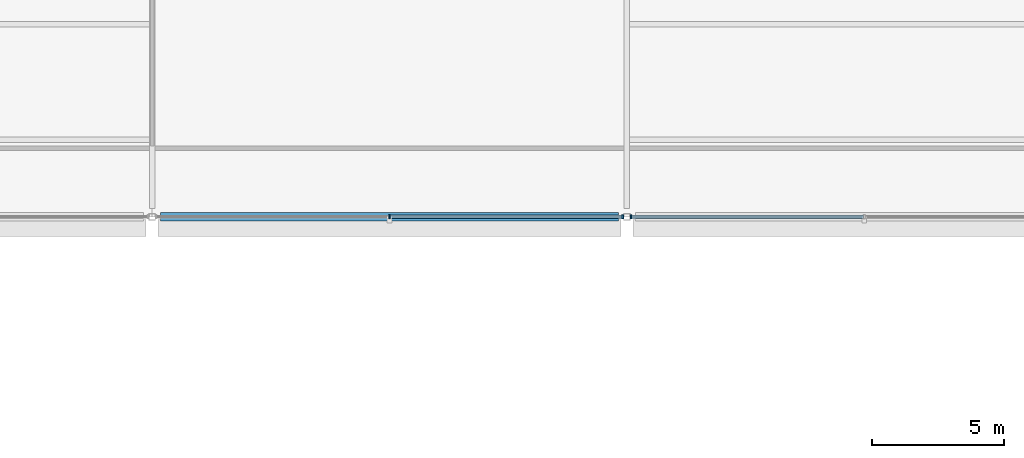
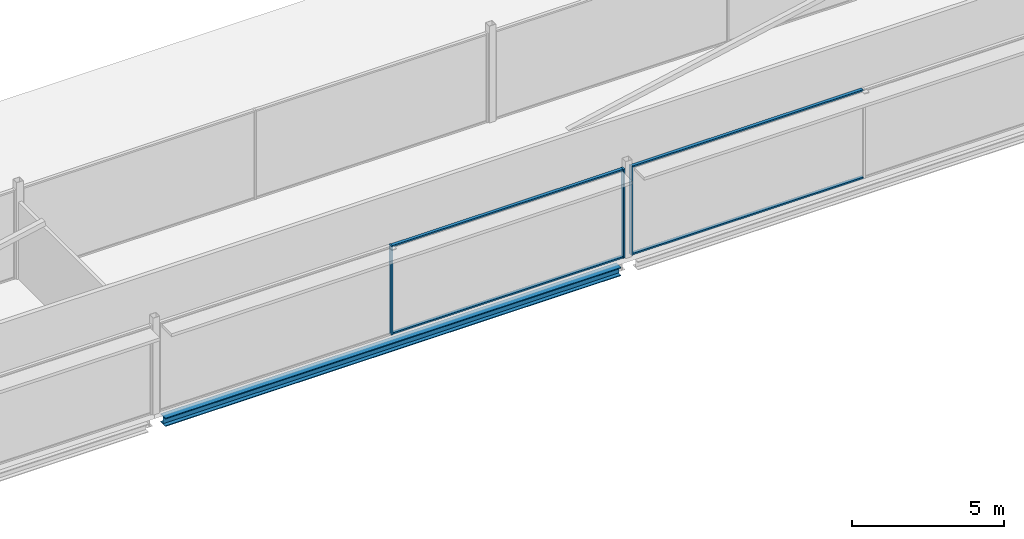
# One storey, part 25 of 105: 7 members, 1 beam, 2 elements without a shape of their own.
"""IFC4 building model written with IfcOpenShell, lengths in metres."""

from ifc_helpers import new_model, si_unit, direction, frame, origin, origin_2d, place, context, subcontext, project, spatial, rectangle, i_section, extrude, material, layer, layer_set, material_profile, profile_set, type_object, element, aggregate, save


model = new_model("IFC4")

# Units and contexts
model_context = context("Model", 3, precision=1e-05, world=origin(), true_north=direction((0.0, 1.0)))
body_context = subcontext(model_context, "Body", "Model", "MODEL_VIEW")
ifc_project = project(units=[si_unit("LENGTHUNIT", "METRE"), si_unit("AREAUNIT", "SQUARE_METRE"), si_unit("VOLUMEUNIT", "CUBIC_METRE"), si_unit("PLANEANGLEUNIT", "RADIAN"), si_unit("MASSUNIT", "GRAM", prefix="KILO")], contexts=[model_context])

# Site, building, storey
site_placement = place(None, origin())
site = spatial("IfcSite", under=ifc_project, at=site_placement, CompositionType="ELEMENT")
building_placement = place(site_placement, origin())
building = spatial("IfcBuilding", under=site, at=building_placement, Name="Kisiwana Market Hall", CompositionType="ELEMENT")
storey_placement = place(building_placement, frame((0.0, 0.0, 21.60009765625)))
storey = spatial("IfcBuildingStorey", under=building, at=storey_placement, Name="L04", CompositionType="ELEMENT", Elevation=21.60009765625)

# Beam
ifc_material_1 = material(Name="Steel S355", Category="steel")
ifc_material_profile_1 = material_profile(ifc_material_1, i_section(OverallWidth=0.314453125, OverallDepth=0.33984375, WebThickness=0.01904296875, FlangeThickness=0.031494140625, at=origin_2d()), Name="UC 305x305x198")
ifc_profile_set_1 = profile_set([ifc_material_profile_1], Name="Steel S355")
beam_type = type_object("IfcBeamType", Name="BM-SKYBR-CHORD", PredefinedType="BEAM", material=ifc_profile_set_1)
beam_placement = place(storey_placement, frame((99.321044921875, 18.0, -0.43505859375), z_axis=(1.0, 0.0, 0.0), x_axis=(0.0, 1.0, 0.0)))
element("IfcBeam", 1, at=beam_placement, inside=storey, type_object=beam_type, Name="Floor beam B-1430", PredefinedType="BEAM", context=body_context, shape_type="SweptSolid", body=[
    extrude(i_section(OverallWidth=0.314453125, OverallDepth=0.33984375, WebThickness=0.01904296875, FlangeThickness=0.031494140625, at=origin_2d()), origin(), (0.0, 0.0, 1.0), 17.35791015625),
])

# Curtain wall, members
ifc_material_2 = material(Name="Double-glazed solar-control low-E IGU", Category="glass")
ifc_layer = layer(ifc_material_2, 0.159912109375)
ifc_layer_set = layer_set([ifc_layer], Name="CW-ZNA-EW-8200")
curtain_wall_type = type_object("IfcCurtainWallType", Name="CW-ZNA-EW-8200", PredefinedType="USERDEFINED", material=ifc_layer_set)
curtain_wall_1_placement = place(storey_placement, origin())
curtain_wall_1 = element("IfcCurtainWall", 2, at=curtain_wall_1_placement, inside=storey, type_object=curtain_wall_type, Name="Unitised curtain wall CW-095 (L04)", ObjectType="UNITISED CURTAIN WALL", PredefinedType="USERDEFINED")
ifc_material_3 = material(Name="Aluminium alloy 6063-T6", Category="aluminium")
ifc_material_profile_2 = material_profile(ifc_material_3, rectangle(XDim=0.06005859375, YDim=0.159912109375, at=origin_2d()), Name="ALU MULLION 60x160")
ifc_profile_set_2 = profile_set([ifc_material_profile_2], Name="Aluminium alloy 6063-T6")
member_type_1 = type_object("IfcMemberType", Name="CW-MULL-60x160", PredefinedType="MULLION", material=ifc_profile_set_2)
member_1_placement = place(storey_placement, frame((108.0, 18.0, 0.0), z_axis=(0.0, 0.0, 1.0), x_axis=(1.0, 0.0, 0.0)))
member_1 = element("IfcMember", 3, at=member_1_placement, type_object=member_type_1, Name="CW-095 mullion 2", PredefinedType="MULLION", context=body_context, shape_type="SweptSolid", body=[
    extrude(rectangle(XDim=0.06005859375, YDim=0.159912109375, at=origin_2d()), origin(), (0.0, 0.0, 1.0), 3.5849609375),
])
member_2_placement = place(storey_placement, frame((116.844970703125, 18.0, 0.0), z_axis=(0.0, 0.0, 1.0), x_axis=(1.0, 0.0, 0.0)))
member_2 = element("IfcMember", 4, at=member_2_placement, type_object=member_type_1, Name="CW-095 mullion 3", PredefinedType="MULLION", context=body_context, shape_type="SweptSolid", body=[
    extrude(rectangle(XDim=0.06005859375, YDim=0.159912109375, at=origin_2d()), origin(), (0.0, 0.0, 1.0), 3.5849609375),
])

# Curtain wall, member
curtain_wall_2_placement = place(storey_placement, origin())
curtain_wall_2 = element("IfcCurtainWall", 5, at=curtain_wall_2_placement, inside=storey, type_object=curtain_wall_type, Name="Unitised curtain wall CW-096 (L04)", ObjectType="UNITISED CURTAIN WALL", PredefinedType="USERDEFINED")
member_3_placement = place(storey_placement, frame((117.155029296875, 18.0, 0.0), z_axis=(0.0, 0.0, 1.0), x_axis=(1.0, 0.0, 0.0)))
member_3 = element("IfcMember", 6, at=member_3_placement, type_object=member_type_1, Name="CW-096 mullion 1", PredefinedType="MULLION", context=body_context, shape_type="SweptSolid", body=[
    extrude(rectangle(XDim=0.06005859375, YDim=0.159912109375, at=origin_2d()), origin(), (0.0, 0.0, 1.0), 3.5849609375),
])

# Member
ifc_material_4 = material(Name="Aluminium alloy 6063-T6", Category="aluminium")
ifc_material_profile_3 = material_profile(ifc_material_4, rectangle(XDim=0.1201171875, YDim=0.06005859375, at=origin_2d()), Name="ALU TRANSOM 60x120")
ifc_profile_set_3 = profile_set([ifc_material_profile_3], Name="Aluminium alloy 6063-T6")
member_type_2 = type_object("IfcMemberType", Name="CW-TRAN-60x120", PredefinedType="USERDEFINED", material=ifc_profile_set_3)
member_4_placement = place(storey_placement, frame((108.030029296875, 18.0, 0.02978515625), z_axis=(1.0, 0.0, 0.0), x_axis=(0.0, 1.0, 0.0)))
member_4 = element("IfcMember", 7, at=member_4_placement, type_object=member_type_2, Name="CW-095 transom 2.1", ObjectType="TRANSOM", PredefinedType="USERDEFINED", context=body_context, shape_type="SweptSolid", body=[
    extrude(rectangle(XDim=0.1201171875, YDim=0.06005859375, at=origin_2d()), origin(), (0.0, 0.0, 1.0), 8.784912109375),
])

member_5_placement = place(storey_placement, frame((108.030029296875, 18.0, 3.554931640625), z_axis=(1.0, 0.0, 0.0), x_axis=(0.0, 1.0, 0.0)))
member_5 = element("IfcMember", 8, at=member_5_placement, type_object=member_type_2, Name="CW-095 transom 2.2", ObjectType="TRANSOM", PredefinedType="USERDEFINED", context=body_context, shape_type="SweptSolid", body=[
    extrude(rectangle(XDim=0.1201171875, YDim=0.06005859375, at=origin_2d()), origin(), (0.0, 0.0, 1.0), 8.784912109375),
])

aggregate(curtain_wall_1, [member_1, member_2, member_4, member_5])

member_6_placement = place(storey_placement, frame((117.18505859375, 18.0, 0.02978515625), z_axis=(1.0, 0.0, 0.0), x_axis=(0.0, 1.0, 0.0)))
member_6 = element("IfcMember", 9, at=member_6_placement, type_object=member_type_2, Name="CW-096 transom 1.1", ObjectType="TRANSOM", PredefinedType="USERDEFINED", context=body_context, shape_type="SweptSolid", body=[
    extrude(rectangle(XDim=0.1201171875, YDim=0.06005859375, at=origin_2d()), origin(), (0.0, 0.0, 1.0), 8.784912109375),
])

member_7_placement = place(storey_placement, frame((117.18505859375, 18.0, 3.554931640625), z_axis=(1.0, 0.0, 0.0), x_axis=(0.0, 1.0, 0.0)))
member_7 = element("IfcMember", 10, at=member_7_placement, type_object=member_type_2, Name="CW-096 transom 1.2", ObjectType="TRANSOM", PredefinedType="USERDEFINED", context=body_context, shape_type="SweptSolid", body=[
    extrude(rectangle(XDim=0.1201171875, YDim=0.06005859375, at=origin_2d()), origin(), (0.0, 0.0, 1.0), 8.784912109375),
])

aggregate(curtain_wall_2, [member_3, member_6, member_7])

save(model, "model.ifc")
